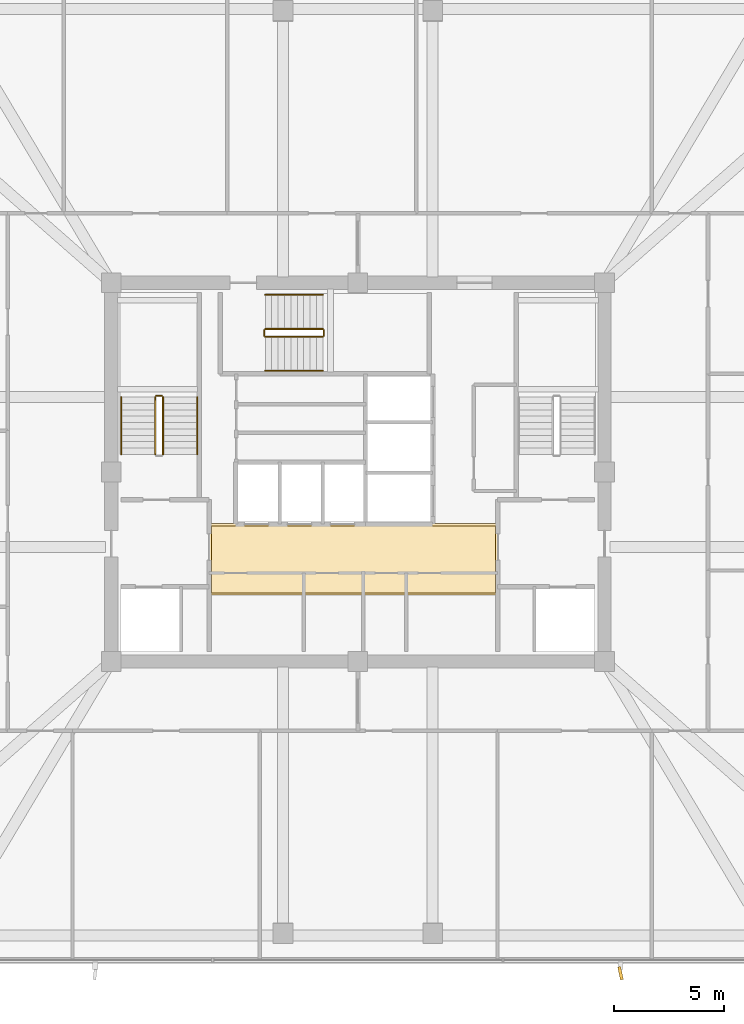
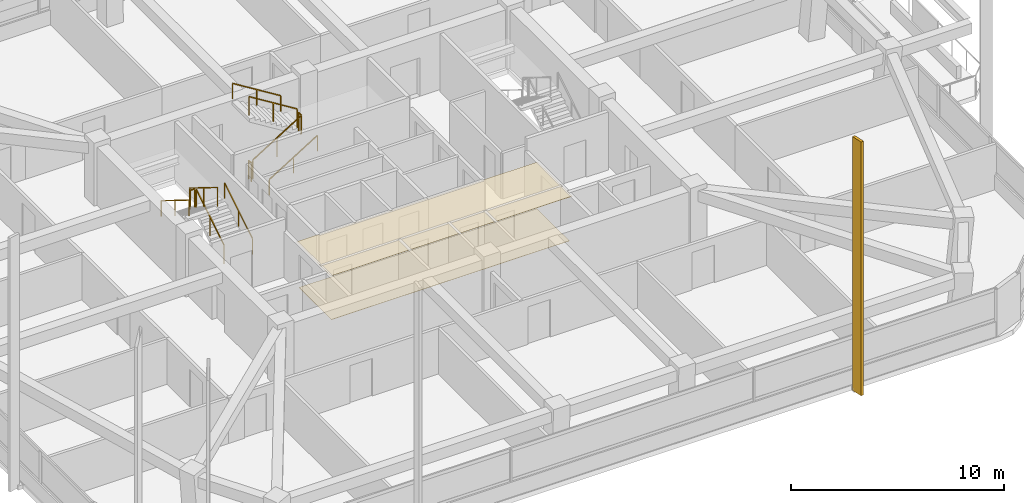
# One storey, part 15 of 17: 11 railings, 2 coverings, 1 shading device.
"""IFC4 building model written with IfcOpenShell, lengths in metres."""

from ifc_helpers import new_model, si_unit, derived_unit, direction, frame, origin, origin_2d, place, context, subcontext, project, spatial, polyline, rectangle, outline, extrude, material, layer, layer_set, type_object, element, save


model = new_model("IFC4")

# Units and contexts
model_context = context("Model", 3, precision=1e-05, world=origin(), true_north=direction((0.0, 1.0)))
body_context = subcontext(model_context, "Body", "Model", "MODEL_VIEW")
ifc_project = project(units=[si_unit("LENGTHUNIT", "METRE"), si_unit("AREAUNIT", "SQUARE_METRE"), si_unit("VOLUMEUNIT", "CUBIC_METRE"), si_unit("PLANEANGLEUNIT", "RADIAN"), si_unit("MASSUNIT", "GRAM", prefix="KILO"), derived_unit("THERMALTRANSMITTANCEUNIT", [(si_unit("POWERUNIT", "WATT"), 1), (si_unit("LENGTHUNIT", "METRE"), -2), (si_unit("THERMODYNAMICTEMPERATUREUNIT", "KELVIN"), -1)])], contexts=[model_context])

# Site, building, storey
site_placement = place(None, origin())
site = spatial("IfcSite", under=ifc_project, at=site_placement, CompositionType="ELEMENT")
building_placement = place(site_placement, origin())
building = spatial("IfcBuilding", under=site, at=building_placement, Name="Koralith Skygarden Medical Center", CompositionType="ELEMENT")
storey_placement = place(building_placement, frame((0.0, 0.0, 207.179931640625)))
storey = spatial("IfcBuildingStorey", under=building, at=storey_placement, Name="L53", CompositionType="ELEMENT", Elevation=207.179931640625)

# Covering
ifc_material_1 = material(Name="Acoustic Mineral Tile")
ifc_layer_1 = layer(ifc_material_1, 0.02001953125)
ifc_layer_set_1 = layer_set([ifc_layer_1], Name="Acoustic Mineral Tile")
covering_type_1 = type_object("IfcCoveringType", Name="Acoustic Hygienic Mineral Ceiling 20", PredefinedType="CEILING", material=ifc_layer_set_1)
covering_1_placement = place(storey_placement, frame((0.0, 0.0, 2.5849609375)))
element("IfcCovering", 1, at=covering_1_placement, inside=storey, type_object=covering_type_1, Name="L53 Core Lobby Acoustic Ceiling", PredefinedType="CEILING", context=body_context, shape_type="SweptSolid", body=[
    extrude(outline(polyline([(30.25, 20.320068359375), (43.35009765625, 20.320068359375), (43.35009765625, 23.56005859375), (30.25, 23.56005859375), (30.25, 20.320068359375)])), origin(), (0.0, 0.0, 1.0), 0.02001953125),
])

# Shading device
ifc_material_2 = material(Name="Aluminium 6063-T6", Category="aluminium")
shading_device_type = type_object("IfcShadingDeviceType", Name="Limestone-Clad Solar Storm Fin 600", PredefinedType="USERDEFINED", material=ifc_material_2)
shading_device_placement = place(storey_placement, frame((48.928955078125, 3.14306640625, -0.2001953125), z_axis=(0.0, 0.0, 1.0), x_axis=(0.209516168534, -0.977805182602, 0.0)))
element("IfcShadingDevice", 2, at=shading_device_placement, inside=storey, type_object=shading_device_type, Name="L53 S Harmonic Solar Storm Fin 2", ObjectType="SOLAR FIN", PredefinedType="USERDEFINED", context=body_context, shape_type="SweptSolid", body=[
    extrude(rectangle(XDim=0.60009765625, YDim=0.139892578125, at=origin_2d()), origin(), (0.0, 0.0, 1.0), 14.550048828125),
])

# Covering
ifc_material_3 = material(Name="Medical Terrazzo Flooring")
ifc_layer_2 = layer(ifc_material_3, 0.014892578125)
ifc_layer_set_2 = layer_set([ifc_layer_2], Name="Medical Terrazzo Flooring")
covering_type_2 = type_object("IfcCoveringType", Name="Seamless Antimicrobial Terrazzo Flooring 15", PredefinedType="FLOORING", material=ifc_layer_set_2)
covering_2_placement = place(storey_placement, origin())
element("IfcCovering", 3, at=covering_2_placement, inside=storey, type_object=covering_type_2, Name="L53 Core Lobby Terrazzo Flooring", PredefinedType="FLOORING", context=body_context, shape_type="SweptSolid", body=[
    extrude(outline(polyline([(30.35009765625, 20.419921875), (43.25, 20.419921875), (43.25, 23.4599609375), (30.35009765625, 23.4599609375), (30.35009765625, 20.419921875)])), origin(), (0.0, 0.0, 1.0), 0.01513671875),
])

# Railings
ifc_material_4 = material(Name="Steel ASTM A500 Grade C", Category="steel")
railing_type_1 = type_object("IfcRailingType", Name="Stair Flight Tubular Handrail 920", PredefinedType="HANDRAIL", material=ifc_material_4)
railing_1_placement = place(storey_placement, frame((29.699951171875, 26.699951171875, 0.18017578125)))
element("IfcRailing", 4, at=railing_1_placement, inside=storey, type_object=railing_type_1, Name="L53 ST1 stair handrail 1", PredefinedType="HANDRAIL", context=body_context, shape_type="SweptSolid", body=[
    extrude(rectangle(XDim=0.050048828125, YDim=0.050048828125, at=origin_2d()), frame((0.0, 0.001708984375, 0.89599609375), z_axis=(0.0, 0.849668407637, 0.527317358963), x_axis=(-1.0, 0.0, 0.0)), (0.0, 0.0, 1.0), 3.06787109375),
    extrude(rectangle(XDim=0.0419921875, YDim=0.0419921875, at=origin_2d()), origin(), (0.0, 0.0, 1.0), 0.867919921875),
    extrude(rectangle(XDim=0.0419921875, YDim=0.0419921875, at=origin_2d()), frame((0.0, 1.30517578125, 0.81005859375)), (0.0, 0.0, 1.0), 0.867919921875),
    extrude(rectangle(XDim=0.0419921875, YDim=0.0419921875, at=origin_2d()), frame((0.0, 2.610107421875, 1.619873046875)), (0.0, 0.0, 1.0), 0.867919921875),
])
railing_2_placement = place(storey_placement, frame((26.25, 29.31005859375, 1.97998046875)))
element("IfcRailing", 5, at=railing_2_placement, inside=storey, type_object=railing_type_1, Name="L53 ST1 stair handrail 2", PredefinedType="HANDRAIL", context=body_context, shape_type="SweptSolid", body=[
    extrude(rectangle(XDim=0.050048828125, YDim=0.050048828125, at=origin_2d()), frame((0.0, -0.001708984375, 0.89599609375), z_axis=(0.0, -0.849632798774, 0.527374731332), x_axis=(1.0, 0.0, 0.0)), (0.0, 0.0, 1.0), 3.068115234375),
    extrude(rectangle(XDim=0.0419921875, YDim=0.0419921875, at=origin_2d()), origin(), (0.0, 0.0, 1.0), 0.867919921875),
    extrude(rectangle(XDim=0.0419921875, YDim=0.0419921875, at=origin_2d()), frame((0.0, -1.30517578125, 0.81005859375)), (0.0, 0.0, 1.0), 0.867919921875),
    extrude(rectangle(XDim=0.0419921875, YDim=0.0419921875, at=origin_2d()), frame((0.0, -2.610107421875, 1.6201171875)), (0.0, 0.0, 1.0), 0.867919921875),
])
railing_3_placement = place(storey_placement, frame((32.800048828125, 30.5, 0.18017578125)))
element("IfcRailing", 6, at=railing_3_placement, inside=storey, type_object=railing_type_1, Name="L53 ST3 stair handrail 1", PredefinedType="HANDRAIL", context=body_context, shape_type="SweptSolid", body=[
    extrude(rectangle(XDim=0.050048828125, YDim=0.050048828125, at=origin_2d()), frame((0.001708984375, 0.0, 0.89599609375), z_axis=(0.849646306263, 0.0, 0.527352969322), x_axis=(0.0, 1.0, 0.0)), (0.0, 0.0, 1.0), 3.067626953125),
    extrude(rectangle(XDim=0.0419921875, YDim=0.0419921875, at=origin_2d()), origin(), (0.0, 0.0, 1.0), 0.867919921875),
    extrude(rectangle(XDim=0.0419921875, YDim=0.0419921875, at=origin_2d()), frame((1.304931640625, 0.0, 0.81005859375)), (0.0, 0.0, 1.0), 0.867919921875),
    extrude(rectangle(XDim=0.0419921875, YDim=0.0419921875, at=origin_2d()), frame((2.60986328125, 0.0, 1.619873046875)), (0.0, 0.0, 1.0), 0.867919921875),
])
railing_4_placement = place(storey_placement, frame((35.409912109375, 33.949951171875, 1.97998046875)))
element("IfcRailing", 7, at=railing_4_placement, inside=storey, type_object=railing_type_1, Name="L53 ST3 stair handrail 2", PredefinedType="HANDRAIL", context=body_context, shape_type="SweptSolid", body=[
    extrude(rectangle(XDim=0.050048828125, YDim=0.050048828125, at=origin_2d()), frame((-0.001708984375, 0.0, 0.89599609375), z_axis=(-0.849610693518, 0.0, 0.52741034258), x_axis=(0.0, -1.0, 0.0)), (0.0, 0.0, 1.0), 3.06787109375),
    extrude(rectangle(XDim=0.0419921875, YDim=0.0419921875, at=origin_2d()), origin(), (0.0, 0.0, 1.0), 0.867919921875),
    extrude(rectangle(XDim=0.0419921875, YDim=0.0419921875, at=origin_2d()), frame((-1.304931640625, 0.0, 0.81005859375)), (0.0, 0.0, 1.0), 0.867919921875),
    extrude(rectangle(XDim=0.0419921875, YDim=0.0419921875, at=origin_2d()), frame((-2.60986328125, 0.0, 1.6201171875)), (0.0, 0.0, 1.0), 0.867919921875),
])
railing_type_2 = type_object("IfcRailingType", Name="Stair Well Safety Guardrail 1100", PredefinedType="GUARDRAIL", material=ifc_material_4)
railing_5_placement = place(storey_placement, frame((28.14990234375, 26.699951171875, 0.18017578125)))
element("IfcRailing", 8, at=railing_5_placement, inside=storey, type_object=railing_type_2, Name="L53 ST1 stair guard 1", PredefinedType="GUARDRAIL", context=body_context, shape_type="SweptSolid", body=[
    extrude(rectangle(XDim=0.050048828125, YDim=0.050048828125, at=origin_2d()), frame((0.0, 0.001708984375, 1.076171875), z_axis=(0.0, 0.849668407637, 0.527317358963), x_axis=(-1.0, 0.0, 0.0)), (0.0, 0.0, 1.0), 3.06787109375),
    extrude(rectangle(XDim=0.0419921875, YDim=0.0419921875, at=origin_2d()), origin(), (0.0, 0.0, 1.0), 1.048095703125),
    extrude(rectangle(XDim=0.0419921875, YDim=0.0419921875, at=origin_2d()), frame((0.0, 1.30517578125, 0.81005859375)), (0.0, 0.0, 1.0), 1.048095703125),
    extrude(rectangle(XDim=0.0419921875, YDim=0.0419921875, at=origin_2d()), frame((0.0, 2.610107421875, 1.619873046875)), (0.0, 0.0, 1.0), 1.048095703125),
])
railing_6_placement = place(storey_placement, frame((28.10009765625, 29.360107421875, 1.800048828125)))
element("IfcRailing", 9, at=railing_6_placement, inside=storey, type_object=railing_type_2, Name="L53 ST1 stair guard 2", PredefinedType="GUARDRAIL", context=body_context, shape_type="SweptSolid", body=[
    extrude(rectangle(XDim=0.050048828125, YDim=0.050048828125, at=origin_2d()), frame((-0.001953125, 0.0, 1.0751953125), z_axis=(-1.0, 0.0, 0.0), x_axis=(0.0, -1.0, 0.0)), (0.0, 0.0, 1.0), 0.24609375),
    extrude(rectangle(XDim=0.0419921875, YDim=0.0419921875, at=origin_2d()), origin(), (0.0, 0.0, 1.0), 1.048095703125),
    extrude(rectangle(XDim=0.0419921875, YDim=0.0419921875, at=origin_2d()), frame((-0.25, 0.0, 0.0)), (0.0, 0.0, 1.0), 1.048095703125),
])
railing_7_placement = place(storey_placement, frame((27.800048828125, 29.31005859375, 1.97998046875)))
element("IfcRailing", 10, at=railing_7_placement, inside=storey, type_object=railing_type_2, Name="L53 ST1 stair guard 3", PredefinedType="GUARDRAIL", context=body_context, shape_type="SweptSolid", body=[
    extrude(rectangle(XDim=0.050048828125, YDim=0.050048828125, at=origin_2d()), frame((0.0, -0.001708984375, 1.076171875), z_axis=(0.0, -0.849632798774, 0.527374731332), x_axis=(1.0, 0.0, 0.0)), (0.0, 0.0, 1.0), 3.068115234375),
    extrude(rectangle(XDim=0.0419921875, YDim=0.0419921875, at=origin_2d()), origin(), (0.0, 0.0, 1.0), 1.048095703125),
    extrude(rectangle(XDim=0.0419921875, YDim=0.0419921875, at=origin_2d()), frame((0.0, -1.30517578125, 0.81005859375)), (0.0, 0.0, 1.0), 1.048095703125),
    extrude(rectangle(XDim=0.0419921875, YDim=0.0419921875, at=origin_2d()), frame((0.0, -2.610107421875, 1.6201171875)), (0.0, 0.0, 1.0), 1.048095703125),
])
railing_8_placement = place(storey_placement, frame((32.800048828125, 32.050048828125, 0.18017578125)))
element("IfcRailing", 11, at=railing_8_placement, inside=storey, type_object=railing_type_2, Name="L53 ST3 stair guard 1", PredefinedType="GUARDRAIL", context=body_context, shape_type="SweptSolid", body=[
    extrude(rectangle(XDim=0.050048828125, YDim=0.050048828125, at=origin_2d()), frame((0.001708984375, 0.0, 1.076171875), z_axis=(0.849646306263, 0.0, 0.527352969322), x_axis=(0.0, 1.0, 0.0)), (0.0, 0.0, 1.0), 3.067626953125),
    extrude(rectangle(XDim=0.0419921875, YDim=0.0419921875, at=origin_2d()), origin(), (0.0, 0.0, 1.0), 1.048095703125),
    extrude(rectangle(XDim=0.0419921875, YDim=0.0419921875, at=origin_2d()), frame((1.304931640625, 0.0, 0.81005859375)), (0.0, 0.0, 1.0), 1.048095703125),
    extrude(rectangle(XDim=0.0419921875, YDim=0.0419921875, at=origin_2d()), frame((2.60986328125, 0.0, 1.619873046875)), (0.0, 0.0, 1.0), 1.048095703125),
])
railing_9_placement = place(storey_placement, frame((35.4599609375, 32.10009765625, 1.800048828125)))
element("IfcRailing", 12, at=railing_9_placement, inside=storey, type_object=railing_type_2, Name="L53 ST3 stair guard 2", PredefinedType="GUARDRAIL", context=body_context, shape_type="SweptSolid", body=[
    extrude(rectangle(XDim=0.050048828125, YDim=0.050048828125, at=origin_2d()), frame((0.0, 0.001953125, 1.0751953125), z_axis=(0.0, 1.0, 0.0), x_axis=(-1.0, 0.0, 0.0)), (0.0, 0.0, 1.0), 0.24609375),
    extrude(rectangle(XDim=0.0419921875, YDim=0.0419921875, at=origin_2d()), origin(), (0.0, 0.0, 1.0), 1.048095703125),
    extrude(rectangle(XDim=0.0419921875, YDim=0.0419921875, at=origin_2d()), frame((0.0, 0.25, 0.0)), (0.0, 0.0, 1.0), 1.048095703125),
])
railing_10_placement = place(storey_placement, frame((35.409912109375, 32.39990234375, 1.97998046875)))
element("IfcRailing", 13, at=railing_10_placement, inside=storey, type_object=railing_type_2, Name="L53 ST3 stair guard 3", PredefinedType="GUARDRAIL", context=body_context, shape_type="SweptSolid", body=[
    extrude(rectangle(XDim=0.050048828125, YDim=0.050048828125, at=origin_2d()), frame((-0.001708984375, 0.0, 1.076171875), z_axis=(-0.849610693518, 0.0, 0.52741034258), x_axis=(0.0, -1.0, 0.0)), (0.0, 0.0, 1.0), 3.06787109375),
    extrude(rectangle(XDim=0.0419921875, YDim=0.0419921875, at=origin_2d()), origin(), (0.0, 0.0, 1.0), 1.048095703125),
    extrude(rectangle(XDim=0.0419921875, YDim=0.0419921875, at=origin_2d()), frame((-1.304931640625, 0.0, 0.81005859375)), (0.0, 0.0, 1.0), 1.048095703125),
    extrude(rectangle(XDim=0.0419921875, YDim=0.0419921875, at=origin_2d()), frame((-2.60986328125, 0.0, 1.6201171875)), (0.0, 0.0, 1.0), 1.048095703125),
])
railing_11_placement = place(storey_placement, frame((32.75, 32.10009765625, 0.0)))
element("IfcRailing", 14, at=railing_11_placement, inside=storey, type_object=railing_type_2, Name="L53 ST3 stair guard 4", PredefinedType="GUARDRAIL", context=body_context, shape_type="SweptSolid", body=[
    extrude(rectangle(XDim=0.050048828125, YDim=0.050048828125, at=origin_2d()), frame((0.0, 0.001953125, 1.0751953125), z_axis=(0.0, 1.0, 0.0), x_axis=(-1.0, 0.0, 0.0)), (0.0, 0.0, 1.0), 0.24609375),
    extrude(rectangle(XDim=0.0419921875, YDim=0.0419921875, at=origin_2d()), origin(), (0.0, 0.0, 1.0), 1.048095703125),
    extrude(rectangle(XDim=0.0419921875, YDim=0.0419921875, at=origin_2d()), frame((0.0, 0.25, 0.0)), (0.0, 0.0, 1.0), 1.048095703125),
])

save(model, "model.ifc")
